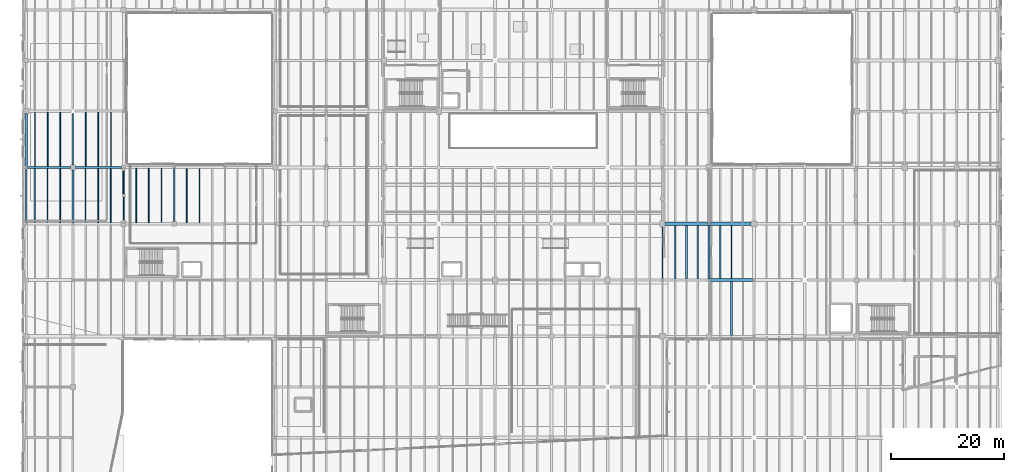
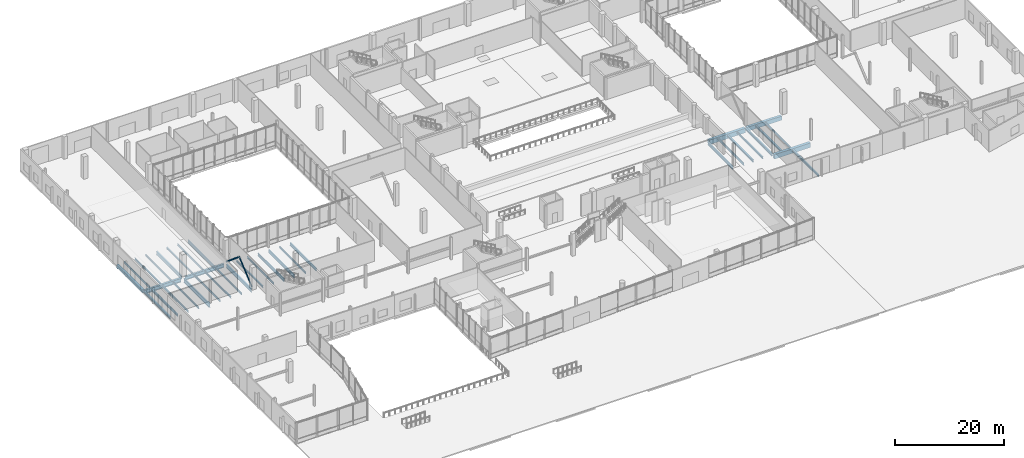
# One storey, part 34 of 88: 36 beams, 2 members.
"""IFC4 building model written with IfcOpenShell, lengths in metres."""

import ifcopenshell
import ifcopenshell.guid

model = None  # the IFC model being written
_history = None  # IfcOwnerHistory: only IFC2X3 demands one
_inside = {}  # id of a spatial element -> (the spatial element, [elements in it])
_under = {}  # id of a project, library or spatial element -> (it, [spatial elements below it])
_declared = {}  # id of a project -> (the project, [libraries it declares])
_typed = {}  # id of a type object -> (the type object, [elements of that type])
_made_of = {}  # id of a material, layer set ... -> (it, [elements and type objects made of it])


def new_model(schema):
    """Start an empty IFC model of exactly this schema.

    Asked for "IFC4X3", IfcOpenShell would pick the latest addendum, in which some entities
    have other attributes; the version numbers below select the first issue.
    IFC2X3 requires an IfcOwnerHistory on every rooted entity: one is made here for all.
    """
    global model, _history
    if schema == "IFC4X3":
        model = ifcopenshell.file(schema_version=(4, 3, 0, 0))
    else:
        model = ifcopenshell.file(schema=schema)
    _inside.clear()
    _under.clear()
    _declared.clear()
    _typed.clear()
    _made_of.clear()
    _history = None
    if model.schema == "IFC2X3":
        org = make("IfcOrganization", Name="unknown")
        user = make(
            "IfcPersonAndOrganization",
            ThePerson=make("IfcPerson", FamilyName="unknown"),
            TheOrganization=org,
        )
        app = make(
            "IfcApplication",
            ApplicationDeveloper=org,
            Version="unknown",
            ApplicationFullName="unknown",
            ApplicationIdentifier="unknown",
        )
        _history = make(
            "IfcOwnerHistory",
            OwningUser=user,
            OwningApplication=app,
            ChangeAction="ADDED",
            CreationDate=0,
        )
    return model


def make(cls, **values):
    """One entity of the class cls with the attributes given. An attribute that is None is left unset."""
    return model.create_entity(
        cls, **{name: value for name, value in values.items() if value is not None}
    )


def rooted(cls, **values):
    """An entity with a GlobalId (a new one), such as an element, a storey or a relation."""
    return make(cls, GlobalId=ifcopenshell.guid.new(), OwnerHistory=_history, **values)


def si_unit(unit_type, name, prefix=None):
    """IfcSIUnit, for example si_unit("LENGTHUNIT", "METRE", prefix="MILLI")."""
    return make("IfcSIUnit", UnitType=unit_type, Prefix=prefix, Name=name)


def assignment(units):
    """IfcUnitAssignment: the units of a project."""
    return None if units is None else make("IfcUnitAssignment", Units=units)


def point(xyz):
    """IfcCartesianPoint."""
    return None if xyz is None else make("IfcCartesianPoint", Coordinates=xyz)


def direction(xyz):
    """IfcDirection."""
    return None if xyz is None else make("IfcDirection", DirectionRatios=xyz)


def frame(location, z_axis=None, x_axis=None):
    """IfcAxis2Placement3D, a coordinate frame: its origin and axes. An axis left out is left unset."""
    return make(
        "IfcAxis2Placement3D",
        Location=point(location),
        Axis=direction(z_axis),
        RefDirection=direction(x_axis),
    )


def frame_2d(location, x_axis=None):
    """IfcAxis2Placement2D, a coordinate frame in the plane: its origin and x axis."""
    return make(
        "IfcAxis2Placement2D", Location=point(location), RefDirection=direction(x_axis)
    )


def origin():
    """The frame at (0, 0, 0) with its axes left unset."""
    return frame((0.0, 0.0, 0.0))


def origin_2d():
    """The frame at (0, 0) in the plane with its x axis left unset."""
    return frame_2d((0.0, 0.0))


def place(relative_to, where):
    """IfcLocalPlacement: puts the frame where relative to a parent placement (None: the world)."""
    return make(
        "IfcLocalPlacement", PlacementRelTo=relative_to, RelativePlacement=where
    )


def context(
    kind, dimensions, precision=None, world=None, true_north=None, identifier=None
):
    """IfcGeometricRepresentationContext, for example the 3D "Model" context."""
    return make(
        "IfcGeometricRepresentationContext",
        ContextIdentifier=identifier,
        ContextType=kind,
        CoordinateSpaceDimension=dimensions,
        Precision=precision,
        WorldCoordinateSystem=world,
        TrueNorth=true_north,
    )


def subcontext(parent, identifier, kind, view, scale=None):
    """IfcGeometricRepresentationSubContext, for example "Body" below "Model"."""
    return make(
        "IfcGeometricRepresentationSubContext",
        ContextIdentifier=identifier,
        ContextType=kind,
        ParentContext=parent,
        TargetScale=scale,
        TargetView=view,
    )


def project(units=None, contexts=None):
    """IfcProject with its units and contexts."""
    return rooted(
        "IfcProject",
        Name="project",
        RepresentationContexts=contexts,
        UnitsInContext=assignment(units),
    )


def spatial(cls, under=None, at=None, **own):
    """A site, building, storey or space (cls), placed at a placement, below another one or the project."""
    s = rooted(cls, ObjectPlacement=at, **own)
    if under is not None:
        _under.setdefault(under.id(), (under, []))[1].append(s)
    return s


def profile(cls, at=None, kind="AREA", **sizes):
    """A parametric profile (cls). Its sizes go by their IFC names, for example OverallWidth=200.0."""
    return make(cls, ProfileType=kind, Position=at, **sizes)


def rectangle(**sizes):
    """IfcRectangleProfileDef."""
    return profile("IfcRectangleProfileDef", **sizes)


def hollow_rectangle(**sizes):
    """IfcRectangleHollowProfileDef."""
    return profile("IfcRectangleHollowProfileDef", **sizes)


def hollow_circle(**sizes):
    """IfcCircleHollowProfileDef."""
    return profile("IfcCircleHollowProfileDef", **sizes)


def i_section(**sizes):
    """IfcIShapeProfileDef."""
    return profile("IfcIShapeProfileDef", **sizes)


def extrude(swept, where, along, depth):
    """IfcExtrudedAreaSolid: the profile swept, set in the frame where, extruded along a direction by depth."""
    return make(
        "IfcExtrudedAreaSolid",
        SweptArea=swept,
        Position=where,
        ExtrudedDirection=direction(along),
        Depth=depth,
    )


def shape(context_of_items, identifier, shape_type, items):
    """IfcShapeRepresentation: the items that make up one representation, for example the "Body"."""
    return make(
        "IfcShapeRepresentation",
        ContextOfItems=context_of_items,
        RepresentationIdentifier=identifier,
        RepresentationType=shape_type,
        Items=items,
    )


def material(Name=None, Category=None):
    """IfcMaterial."""
    return make("IfcMaterial", Name=Name, Category=Category)


def material_profile(
    of_material, cross_section, Name=None, Category=None, Priority=None
):
    """IfcMaterialProfile: a cross section and its material."""
    return make(
        "IfcMaterialProfile",
        Name=Name,
        Material=of_material,
        Profile=cross_section,
        Priority=Priority,
        Category=Category,
    )


def profile_set(profiles, Name=None, composite=None):
    """IfcMaterialProfileSet."""
    return make(
        "IfcMaterialProfileSet",
        Name=Name,
        MaterialProfiles=profiles,
        CompositeProfile=composite,
    )


def made_of(thing, what):
    """Note that an element or type object is made of a material, layer set ...; save() writes the relation."""
    if what is not None:
        _made_of.setdefault(what.id(), (what, []))[1].append(thing)
    return thing


def type_object(cls, material=None, **own):
    """A type object (cls), such as IfcWallType, which elements share."""
    return made_of(rooted(cls, **own), material)


def element(
    cls,
    number,
    at=None,
    inside=None,
    cuts=None,
    type_object=None,
    material=None,
    context=None,
    identifier="Body",
    shape_type=None,
    held_by="IfcProductDefinitionShape",
    body=None,
    shapes=None,
    **own,
):
    """One element of the class cls, such as IfcWall. Its Tag is "e" and its number.

    at: its placement. inside: the storey or other place that contains it. cuts: it is an
    opening in that element (IfcRelVoidsElement). A single representation is given by context,
    identifier, shape_type and body (its items); several are given by shapes. held_by: the class
    of the entity that holds the representations. save() writes the other relations.
    """
    e = rooted(cls, Tag="e%d" % number, ObjectPlacement=at, **own)
    if body is not None:
        shapes = [shape(context, identifier, shape_type, body)]
    if shapes is not None:
        e.Representation = make(held_by, Representations=shapes)
    if inside is not None:
        _inside.setdefault(inside.id(), (inside, []))[1].append(e)
    if cuts is not None:
        rooted(
            "IfcRelVoidsElement", RelatingBuildingElement=cuts, RelatedOpeningElement=e
        )
    if type_object is not None:
        _typed.setdefault(type_object.id(), (type_object, []))[1].append(e)
    return made_of(e, material)


def aggregate(whole, parts):
    """IfcRelAggregates: a whole, such as a stair, and the parts it consists of."""
    return rooted("IfcRelAggregates", RelatingObject=whole, RelatedObjects=parts)


def save(model, path):
    """Write the relations noted so far, then the file.

    IfcRelAggregates (storeys below a building ...), IfcRelContainedInSpatialStructure (elements
    in a storey), IfcRelDefinesByType, IfcRelAssociatesMaterial and IfcRelDeclares: one each for
    every whole, place, type object, material and project.
    """
    for whole, parts in _under.values():
        aggregate(whole, parts)
    for where, things in _inside.values():
        rooted(
            "IfcRelContainedInSpatialStructure",
            RelatedElements=things,
            RelatingStructure=where,
        )
    for kind, things in _typed.values():
        rooted("IfcRelDefinesByType", RelatedObjects=things, RelatingType=kind)
    for what, things in _made_of.values():
        rooted("IfcRelAssociatesMaterial", RelatedObjects=things, RelatingMaterial=what)
    for by, libraries in _declared.values():
        rooted("IfcRelDeclares", RelatingContext=by, RelatedDefinitions=libraries)
    model.write(path)


model = new_model("IFC4")

# Units and contexts
model_context = context("Model", 3, precision=1e-05, world=origin(), true_north=direction((0.0, 1.0)))
body_context = subcontext(model_context, "Body", "Model", "MODEL_VIEW")
ifc_project = project(units=[si_unit("LENGTHUNIT", "METRE"), si_unit("AREAUNIT", "SQUARE_METRE"), si_unit("VOLUMEUNIT", "CUBIC_METRE"), si_unit("PLANEANGLEUNIT", "RADIAN"), si_unit("MASSUNIT", "GRAM", prefix="KILO")], contexts=[model_context])

# Site, building, storey
site_placement = place(None, origin())
site = spatial("IfcSite", under=ifc_project, at=site_placement, CompositionType="ELEMENT")
building_placement = place(site_placement, origin())
building = spatial("IfcBuilding", under=site, at=building_placement, Name="Trimount Lyric Opera House", CompositionType="ELEMENT")
storey_placement = place(building_placement, origin())
storey = spatial("IfcBuildingStorey", under=building, at=storey_placement, Name="L00", CompositionType="ELEMENT", Elevation=0.0)

# Beams
ifc_material_1 = material(Name="Steel ASTM A992 Grade 50", Category="steel")
ifc_material_profile_1 = material_profile(ifc_material_1, i_section(OverallWidth=0.40087890625, OverallDepth=0.861083984375, WebThickness=0.019775390625, FlangeThickness=0.032470703125, FilletRadius=0.02001953125, at=origin_2d()), Name="W33X221")
ifc_profile_set_1 = profile_set([ifc_material_profile_1], Name="Steel ASTM A992 Grade 50")
beam_type_1 = type_object("IfcBeamType", Name="B-04", PredefinedType="BEAM", material=ifc_profile_set_1)
beam_1_placement = place(storey_placement, frame((0.906494140625, 74.0, -0.780517578125), z_axis=(1.0, 0.0, 0.0), x_axis=(0.0, 1.0, 0.0)))
element("IfcBeam", 1, at=beam_1_placement, inside=storey, type_object=beam_type_1, Name="L00 girder X-0141", PredefinedType="BEAM", context=body_context, shape_type="SweptSolid", body=[
    extrude(i_section(OverallWidth=0.40087890625, OverallDepth=0.861083984375, WebThickness=0.019775390625, FlangeThickness=0.032470703125, FilletRadius=0.02001953125, at=origin_2d()), origin(), (0.0, 0.0, 1.0), 7.6435546875),
])
ifc_material_2 = material(Name="Steel ASTM A992 Grade 50", Category="steel")
ifc_material_profile_2 = material_profile(ifc_material_2, i_section(OverallWidth=0.2919921875, OverallDepth=0.845947265625, WebThickness=0.015380859375, FlangeThickness=0.0244140625, FilletRadius=0.01806640625, at=origin_2d()), Name="W33X141")
ifc_profile_set_2 = profile_set([ifc_material_profile_2], Name="Steel ASTM A992 Grade 50")
beam_type_2 = type_object("IfcBeamType", Name="B-05", PredefinedType="BEAM", material=ifc_profile_set_2)
beam_2_placement = place(storey_placement, frame((9.0, 64.18408203125, -0.77294921875), z_axis=(0.0, 1.0, 0.0), x_axis=(-1.0, 0.0, 0.0)))
element("IfcBeam", 2, at=beam_2_placement, inside=storey, type_object=beam_type_2, Name="L00 girder Y-0257", PredefinedType="BEAM", context=body_context, shape_type="SweptSolid", body=[
    extrude(i_section(OverallWidth=0.2919921875, OverallDepth=0.845947265625, WebThickness=0.015380859375, FlangeThickness=0.0244140625, FilletRadius=0.01806640625, at=origin_2d()), origin(), (0.0, 0.0, 1.0), 9.365966796875),
])
ifc_material_3 = material(Name="Steel ASTM A992 Grade 50", Category="steel")
ifc_material_profile_3 = material_profile(ifc_material_3, i_section(OverallWidth=0.382080078125, OverallDepth=0.779052734375, WebThickness=0.01806640625, FlangeThickness=0.0302734375, FilletRadius=0.01904296875, at=origin_2d()), Name="W30X191")
ifc_profile_set_3 = profile_set([ifc_material_profile_3], Name="Steel ASTM A992 Grade 50")
beam_type_3 = type_object("IfcBeamType", Name="B-06", PredefinedType="BEAM", material=ifc_profile_set_3)
beam_3_placement = place(storey_placement, frame((9.449951171875, 74.0, -0.739501953125), z_axis=(1.0, 0.0, 0.0), x_axis=(0.0, 1.0, 0.0)))
element("IfcBeam", 3, at=beam_3_placement, inside=storey, type_object=beam_type_3, Name="L00 girder X-0142", PredefinedType="BEAM", context=body_context, shape_type="SweptSolid", body=[
    extrude(i_section(OverallWidth=0.382080078125, OverallDepth=0.779052734375, WebThickness=0.01806640625, FlangeThickness=0.0302734375, FilletRadius=0.01904296875, at=origin_2d()), origin(), (0.0, 0.0, 1.0), 8.175048828125),
])
ifc_material_4 = material(Name="Steel ASTM A992 Grade 50", Category="steel")
ifc_material_profile_4 = material_profile(ifc_material_4, i_section(OverallWidth=0.26708984375, OverallDepth=0.761962890625, WebThickness=0.014404296875, FlangeThickness=0.021484375, FilletRadius=0.01708984375, at=origin_2d()), Name="W30X116")
ifc_profile_set_4 = profile_set([ifc_material_profile_4], Name="Steel ASTM A992 Grade 50")
beam_type_4 = type_object("IfcBeamType", Name="B-07", PredefinedType="BEAM", material=ifc_profile_set_4)
for number, where, z_axis, x_axis, name in (
    (4, (9.0, 74.449951171875, -0.73095703125), (0.0, 1.0, 0.0), (-1.0, 0.0, 0.0), "L00 girder Y-0258"),
    (5, (18.0, 64.449951171875, -0.73095703125), (0.0, 1.0, 0.0), (-1.0, 0.0, 0.0), "L00 girder Y-0266"),
):
    element("IfcBeam", number, at=place(storey_placement, frame(where, z_axis=z_axis, x_axis=x_axis)), inside=storey, type_object=beam_type_4, Name=name, PredefinedType="BEAM", context=body_context, shape_type="SweptSolid", body=[
        extrude(i_section(OverallWidth=0.26708984375, OverallDepth=0.761962890625, WebThickness=0.014404296875, FlangeThickness=0.021484375, FilletRadius=0.01708984375, at=origin_2d()), origin(), (0.0, 0.0, 1.0), 9.175048828125),
    ])
ifc_material_5 = material(Name="Steel ASTM A992 Grade 50", Category="steel")
ifc_material_profile_5 = material_profile(ifc_material_5, i_section(OverallWidth=0.25390625, OverallDepth=0.68798828125, WebThickness=0.01318359375, FlangeThickness=0.02099609375, FilletRadius=0.01611328125, at=origin_2d()), Name="W27X102")
ifc_profile_set_5 = profile_set([ifc_material_profile_5], Name="Steel ASTM A992 Grade 50")
beam_type_5 = type_object("IfcBeamType", Name="B-09", PredefinedType="BEAM", material=ifc_profile_set_5)
beam_4_placement = place(storey_placement, frame((27.0, 64.375, -0.694091796875), z_axis=(0.0, 1.0, 0.0), x_axis=(-1.0, 0.0, 0.0)))
element("IfcBeam", 6, at=beam_4_placement, inside=storey, type_object=beam_type_5, Name="L00 girder Y-0274", PredefinedType="BEAM", context=body_context, shape_type="SweptSolid", body=[
    extrude(i_section(OverallWidth=0.25390625, OverallDepth=0.68798828125, WebThickness=0.01318359375, FlangeThickness=0.02099609375, FilletRadius=0.01611328125, at=origin_2d()), origin(), (0.0, 0.0, 1.0), 9.447021484375),
])
ifc_material_6 = material(Name="Steel ASTM A992 Grade 50", Category="steel")
ifc_material_profile_6 = material_profile(ifc_material_6, i_section(OverallWidth=0.22998046875, OverallDepth=0.616943359375, WebThickness=0.01318359375, FlangeThickness=0.022216796875, FilletRadius=0.013916015625, at=origin_2d()), Name="W24X94")
ifc_profile_set_6 = profile_set([ifc_material_profile_6], Name="Steel ASTM A992 Grade 50")
beam_type_6 = type_object("IfcBeamType", Name="B-11", PredefinedType="BEAM", material=ifc_profile_set_6)
beam_5_placement = place(storey_placement, frame((113.739990234375, 54.232421875, -0.70849609375), z_axis=(0.0, 1.0, 0.0), x_axis=(-1.0, 0.0, 0.0)))
element("IfcBeam", 7, at=beam_5_placement, inside=storey, type_object=beam_type_6, Name="L00 girder Y-0375", PredefinedType="BEAM", context=body_context, shape_type="SweptSolid", body=[
    extrude(i_section(OverallWidth=0.22998046875, OverallDepth=0.616943359375, WebThickness=0.01318359375, FlangeThickness=0.022216796875, FilletRadius=0.013916015625, at=origin_2d()), origin(), (0.0, 0.0, 1.0), 9.217529296875),
])
ifc_material_7 = material(Name="Steel ASTM A992 Grade 50", Category="steel")
ifc_material_profile_7 = material_profile(ifc_material_7, i_section(OverallWidth=0.31201171875, OverallDepth=0.5458984375, WebThickness=0.013916015625, FlangeThickness=0.022216796875, FilletRadius=0.014892578125, at=origin_2d()), Name="W21X111")
ifc_profile_set_7 = profile_set([ifc_material_profile_7], Name="Steel ASTM A992 Grade 50")
beam_type_7 = type_object("IfcBeamType", Name="B-12", PredefinedType="BEAM", material=ifc_profile_set_7)
beam_6_placement = place(storey_placement, frame((122.0, 54.18408203125, -0.653076171875), z_axis=(0.0, 1.0, 0.0), x_axis=(-1.0, 0.0, 0.0)))
element("IfcBeam", 8, at=beam_6_placement, inside=storey, type_object=beam_type_7, Name="L00 girder Y-0387", PredefinedType="BEAM", context=body_context, shape_type="SweptSolid", body=[
    extrude(i_section(OverallWidth=0.31201171875, OverallDepth=0.5458984375, WebThickness=0.013916015625, FlangeThickness=0.022216796875, FilletRadius=0.014892578125, at=origin_2d()), origin(), (0.0, 0.0, 1.0), 9.622802734375),
])
ifc_material_8 = material(Name="Concrete C40/50", Category="concrete")
ifc_material_profile_8 = material_profile(ifc_material_8, rectangle(XDim=0.60009765625, YDim=1.0, at=origin_2d()), Name="RC600X1000")
ifc_profile_set_8 = profile_set([ifc_material_profile_8], Name="Concrete C40/50")
beam_type_8 = type_object("IfcBeamType", Name="B-13", PredefinedType="BEAM", material=ifc_profile_set_8)
beam_7_placement = place(storey_placement, frame((122.1865234375, 54.0, -0.8798828125), z_axis=(1.0, 0.0, 0.0), x_axis=(0.0, 1.0, 0.0)))
element("IfcBeam", 9, at=beam_7_placement, inside=storey, type_object=beam_type_8, Name="L00 girder X-0116", PredefinedType="BEAM", context=body_context, shape_type="SweptSolid", body=[
    extrude(rectangle(XDim=0.60009765625, YDim=1.0, at=origin_2d()), origin(), (0.0, 0.0, 1.0), 7.614013671875),
])
beam_8_placement = place(storey_placement, frame((114.18994140625, 64.0, -0.89990234375), z_axis=(1.0, 0.0, 0.0), x_axis=(0.0, 1.0, 0.0)))
element("IfcBeam", 10, at=beam_8_placement, inside=storey, type_object=beam_type_8, Name="L00 girder X-0134", PredefinedType="BEAM", context=body_context, shape_type="SweptSolid", body=[
    extrude(rectangle(XDim=0.60009765625, YDim=1.0, at=origin_2d()), origin(), (0.0, 0.0, 1.0), 7.610595703125),
])
ifc_material_9 = material(Name="Concrete C40/50", Category="concrete")
ifc_material_profile_9 = material_profile(ifc_material_9, rectangle(XDim=0.550048828125, YDim=0.89990234375, at=origin_2d()), Name="RC550X900")
ifc_profile_set_9 = profile_set([ifc_material_profile_9], Name="Concrete C40/50")
beam_type_9 = type_object("IfcBeamType", Name="B-14", PredefinedType="BEAM", material=ifc_profile_set_9)
beam_9_placement = place(storey_placement, frame((122.199462890625, 64.0, -0.830078125), z_axis=(1.0, 0.0, 0.0), x_axis=(0.0, 1.0, 0.0)))
element("IfcBeam", 11, at=beam_9_placement, inside=storey, type_object=beam_type_9, Name="L00 girder X-0135", PredefinedType="BEAM", context=body_context, shape_type="SweptSolid", body=[
    extrude(rectangle(XDim=0.550048828125, YDim=0.89990234375, at=origin_2d()), origin(), (0.0, 0.0, 1.0), 7.300537109375),
])

# Members
ifc_material_10 = material(Name="Steel ASTM A500 Grade C", Category="steel")
ifc_material_profile_10 = material_profile(ifc_material_10, hollow_rectangle(XDim=0.203125, YDim=0.203125, WallThickness=0.0087890625, InnerFilletRadius=0.00927734375, OuterFilletRadius=0.01806640625, at=origin_2d()), Name="HSS203.2X203.2X9.5")
ifc_profile_set_10 = profile_set([ifc_material_profile_10], Name="Steel ASTM A500 Grade C")
member_type_1 = type_object("IfcMemberType", Name="BR-04", PredefinedType="BRACE", material=ifc_profile_set_10)
member_1_placement = place(storey_placement, frame((18.0, 64.35009765625, 0.14990234375), z_axis=(0.0, 0.766173014074, 0.642634353661), x_axis=(-1.0, 0.0, 0.0)))
element("IfcMember", 12, at=member_1_placement, inside=storey, type_object=member_type_1, Name="L00 lateral chevron brace BF-1.1", PredefinedType="BRACE", context=body_context, shape_type="SweptSolid", body=[
    extrude(hollow_rectangle(XDim=0.203125, YDim=0.203125, WallThickness=0.0087890625, InnerFilletRadius=0.00927734375, OuterFilletRadius=0.01806640625, at=origin_2d()), origin(), (0.0, 0.0, 1.0), 6.069091796875),
])
ifc_material_11 = material(Name="Steel ASTM A500 Grade C", Category="steel")
ifc_material_profile_11 = material_profile(ifc_material_11, hollow_circle(Radius=0.161865234375, WallThickness=0.01171875, at=origin_2d()), Name="HSS323.9X12.7")
ifc_profile_set_11 = profile_set([ifc_material_profile_11], Name="Steel ASTM A500 Grade C")
member_type_2 = type_object("IfcMemberType", Name="BR-05", PredefinedType="BRACE", material=ifc_profile_set_11)
member_2_placement = place(storey_placement, frame((18.0, 73.64990234375, 0.14990234375), z_axis=(0.0, -0.766173014074, 0.642634353661), x_axis=(1.0, 0.0, 0.0)))
element("IfcMember", 13, at=member_2_placement, inside=storey, type_object=member_type_2, Name="L00 lateral chevron brace BF-1.2", PredefinedType="BRACE", context=body_context, shape_type="SweptSolid", body=[
    extrude(hollow_circle(Radius=0.161865234375, WallThickness=0.01171875, at=origin_2d()), origin(), (0.0, 0.0, 1.0), 6.069091796875),
])

# Beams
ifc_material_12 = material(Name="Steel ASTM A992 Grade 50", Category="steel")
ifc_material_profile_12 = material_profile(ifc_material_12, i_section(OverallWidth=0.22802734375, OverallDepth=0.60205078125, WebThickness=0.010498046875, FlangeThickness=0.014892578125, FilletRadius=0.012939453125, at=origin_2d()), Name="W24X68")
ifc_profile_set_12 = profile_set([ifc_material_profile_12], Name="Steel ASTM A992 Grade 50")
beam_type_10 = type_object("IfcBeamType", Name="J-01", PredefinedType="BEAM", material=ifc_profile_set_12)
beam_10_placement = place(storey_placement, frame((15.75, 74.18701171875, -0.65087890625), z_axis=(0.0, 1.0, 0.0), x_axis=(-1.0, 0.0, 0.0)))
element("IfcBeam", 14, at=beam_10_placement, inside=storey, type_object=beam_type_10, Name="L00 composite floor joist 0054", PredefinedType="BEAM", context=body_context, shape_type="SweptSolid", body=[
    extrude(i_section(OverallWidth=0.22802734375, OverallDepth=0.60205078125, WebThickness=0.010498046875, FlangeThickness=0.014892578125, FilletRadius=0.012939453125, at=origin_2d()), origin(), (0.0, 0.0, 1.0), 9.638916015625),
])
beam_11_placement = place(storey_placement, frame((24.75, 64.18701171875, -0.65087890625), z_axis=(0.0, 1.0, 0.0), x_axis=(-1.0, 0.0, 0.0)))
element("IfcBeam", 15, at=beam_11_placement, inside=storey, type_object=beam_type_10, Name="L00 composite floor joist 0075", PredefinedType="BEAM", context=body_context, shape_type="SweptSolid", body=[
    extrude(i_section(OverallWidth=0.22802734375, OverallDepth=0.60205078125, WebThickness=0.010498046875, FlangeThickness=0.014892578125, FilletRadius=0.012939453125, at=origin_2d()), origin(), (0.0, 0.0, 1.0), 9.676025390625),
])
beam_12_placement = place(storey_placement, frame((31.5, 64.174072265625, -0.65087890625), z_axis=(0.0, 1.0, 0.0), x_axis=(-1.0, 0.0, 0.0)))
element("IfcBeam", 16, at=beam_12_placement, inside=storey, type_object=beam_type_10, Name="L00 composite floor joist 0090", PredefinedType="BEAM", context=body_context, shape_type="SweptSolid", body=[
    extrude(i_section(OverallWidth=0.22802734375, OverallDepth=0.60205078125, WebThickness=0.010498046875, FlangeThickness=0.014892578125, FilletRadius=0.012939453125, at=origin_2d()), origin(), (0.0, 0.0, 1.0), 9.60498046875),
])
ifc_material_13 = material(Name="Steel ASTM A992 Grade 50", Category="steel")
ifc_material_profile_13 = material_profile(ifc_material_13, i_section(OverallWidth=0.2099609375, OverallDepth=0.532958984375, WebThickness=0.01025390625, FlangeThickness=0.015625, FilletRadius=0.012939453125, at=origin_2d()), Name="W21X62")
ifc_profile_set_13 = profile_set([ifc_material_profile_13], Name="Steel ASTM A992 Grade 50")
beam_type_11 = type_object("IfcBeamType", Name="J-02", PredefinedType="BEAM", material=ifc_profile_set_13)
beam_13_placement = place(storey_placement, frame((116.0, 54.159912109375, -0.646484375), z_axis=(0.0, 1.0, 0.0), x_axis=(-1.0, 0.0, 0.0)))
element("IfcBeam", 17, at=beam_13_placement, inside=storey, type_object=beam_type_11, Name="L00 composite floor joist 0354", PredefinedType="BEAM", context=body_context, shape_type="SweptSolid", body=[
    extrude(i_section(OverallWidth=0.2099609375, OverallDepth=0.532958984375, WebThickness=0.01025390625, FlangeThickness=0.015625, FilletRadius=0.012939453125, at=origin_2d()), origin(), (0.0, 0.0, 1.0), 9.544189453125),
])
ifc_material_14 = material(Name="Steel ASTM A992 Grade 50", Category="steel")
ifc_material_profile_14 = material_profile(ifc_material_14, i_section(OverallWidth=0.281982421875, OverallDepth=0.467041015625, WebThickness=0.01220703125, FlangeThickness=0.01953125, FilletRadius=0.012939453125, at=origin_2d()), Name="W18X86")
ifc_profile_set_14 = profile_set([ifc_material_profile_14], Name="Steel ASTM A992 Grade 50")
beam_type_12 = type_object("IfcBeamType", Name="J-03", PredefinedType="BEAM", material=ifc_profile_set_14)
beam_14_placement = place(storey_placement, frame((2.25, 64.20556640625, -0.58349609375), z_axis=(0.0, 1.0, 0.0), x_axis=(-1.0, 0.0, 0.0)))
element("IfcBeam", 18, at=beam_14_placement, inside=storey, type_object=beam_type_12, Name="L00 composite floor joist 0022", PredefinedType="BEAM", context=body_context, shape_type="SweptSolid", body=[
    extrude(i_section(OverallWidth=0.281982421875, OverallDepth=0.467041015625, WebThickness=0.01220703125, FlangeThickness=0.01953125, FilletRadius=0.012939453125, at=origin_2d()), origin(), (0.0, 0.0, 1.0), 9.597900390625),
])
for number, where, z_axis, x_axis, name in (
    (19, (118.0, 54.159912109375, -0.613525390625), (0.0, 1.0, 0.0), (-1.0, 0.0, 0.0), "L00 composite floor joist 0355"),
    (20, (126.0, 44.159912109375, -0.613525390625), (0.0, 1.0, 0.0), (-1.0, 0.0, 0.0), "L00 composite floor joist 0385"),
):
    element("IfcBeam", number, at=place(storey_placement, frame(where, z_axis=z_axis, x_axis=x_axis)), inside=storey, type_object=beam_type_12, Name=name, PredefinedType="BEAM", context=body_context, shape_type="SweptSolid", body=[
        extrude(i_section(OverallWidth=0.281982421875, OverallDepth=0.467041015625, WebThickness=0.01220703125, FlangeThickness=0.01953125, FilletRadius=0.012939453125, at=origin_2d()), origin(), (0.0, 0.0, 1.0), 9.544189453125),
    ])
beam_15_placement = place(storey_placement, frame((124.0, 54.2958984375, -0.613525390625), z_axis=(0.0, 1.0, 0.0), x_axis=(-1.0, 0.0, 0.0)))
element("IfcBeam", 21, at=beam_15_placement, inside=storey, type_object=beam_type_12, Name="L00 composite floor joist 0387", PredefinedType="BEAM", context=body_context, shape_type="SweptSolid", body=[
    extrude(i_section(OverallWidth=0.281982421875, OverallDepth=0.467041015625, WebThickness=0.01220703125, FlangeThickness=0.01953125, FilletRadius=0.012939453125, at=origin_2d()), origin(), (0.0, 0.0, 1.0), 9.43310546875),
])
ifc_material_15 = material(Name="Steel ASTM A992 Grade 50", Category="steel")
ifc_material_profile_15 = material_profile(ifc_material_15, i_section(OverallWidth=0.19091796875, OverallDepth=0.45703125, WebThickness=0.009033203125, FlangeThickness=0.014404296875, FilletRadius=0.010986328125, at=origin_2d()), Name="W18X50")
ifc_profile_set_15 = profile_set([ifc_material_profile_15], Name="Steel ASTM A992 Grade 50")
beam_type_13 = type_object("IfcBeamType", Name="J-04", PredefinedType="BEAM", material=ifc_profile_set_15)
beam_16_placement = place(storey_placement, frame((4.5, 64.20556640625, -0.57861328125), z_axis=(0.0, 1.0, 0.0), x_axis=(-1.0, 0.0, 0.0)))
element("IfcBeam", 22, at=beam_16_placement, inside=storey, type_object=beam_type_13, Name="L00 composite floor joist 0023", PredefinedType="BEAM", context=body_context, shape_type="SweptSolid", body=[
    extrude(i_section(OverallWidth=0.19091796875, OverallDepth=0.45703125, WebThickness=0.009033203125, FlangeThickness=0.014404296875, FilletRadius=0.010986328125, at=origin_2d()), origin(), (0.0, 0.0, 1.0), 9.597900390625),
])
for number, where, z_axis, x_axis, name in (
    (23, (2.25, 74.196533203125, -0.57861328125), (0.0, 1.0, 0.0), (-1.0, 0.0, 0.0), "L00 composite floor joist 0025"),
    (24, (11.25, 64.196533203125, -0.57861328125), (0.0, 1.0, 0.0), (-1.0, 0.0, 0.0), "L00 composite floor joist 0049"),
):
    element("IfcBeam", number, at=place(storey_placement, frame(where, z_axis=z_axis, x_axis=x_axis)), inside=storey, type_object=beam_type_13, Name=name, PredefinedType="BEAM", context=body_context, shape_type="SweptSolid", body=[
        extrude(i_section(OverallWidth=0.19091796875, OverallDepth=0.45703125, WebThickness=0.009033203125, FlangeThickness=0.014404296875, FilletRadius=0.010986328125, at=origin_2d()), origin(), (0.0, 0.0, 1.0), 9.616455078125),
    ])
beam_17_placement = place(storey_placement, frame((120.0, 54.159912109375, -0.6083984375), z_axis=(0.0, 1.0, 0.0), x_axis=(-1.0, 0.0, 0.0)))
element("IfcBeam", 25, at=beam_17_placement, inside=storey, type_object=beam_type_13, Name="L00 composite floor joist 0356", PredefinedType="BEAM", context=body_context, shape_type="SweptSolid", body=[
    extrude(i_section(OverallWidth=0.19091796875, OverallDepth=0.45703125, WebThickness=0.009033203125, FlangeThickness=0.014404296875, FilletRadius=0.010986328125, at=origin_2d()), origin(), (0.0, 0.0, 1.0), 9.544189453125),
])
beam_18_placement = place(storey_placement, frame((126.0, 54.2958984375, -0.6083984375), z_axis=(0.0, 1.0, 0.0), x_axis=(-1.0, 0.0, 0.0)))
element("IfcBeam", 26, at=beam_18_placement, inside=storey, type_object=beam_type_13, Name="L00 composite floor joist 0388", PredefinedType="BEAM", context=body_context, shape_type="SweptSolid", body=[
    extrude(i_section(OverallWidth=0.19091796875, OverallDepth=0.45703125, WebThickness=0.009033203125, FlangeThickness=0.014404296875, FilletRadius=0.010986328125, at=origin_2d()), origin(), (0.0, 0.0, 1.0), 9.43310546875),
])
ifc_material_16 = material(Name="Steel ASTM A992 Grade 50", Category="steel")
ifc_material_profile_16 = material_profile(ifc_material_16, i_section(OverallWidth=0.180908203125, OverallDepth=0.4169921875, WebThickness=0.010986328125, FlangeThickness=0.018310546875, FilletRadius=0.010986328125, at=origin_2d()), Name="W16X57")
ifc_profile_set_16 = profile_set([ifc_material_profile_16], Name="Steel ASTM A992 Grade 50")
beam_type_14 = type_object("IfcBeamType", Name="J-05", PredefinedType="BEAM", material=ifc_profile_set_16)
beam_19_placement = place(storey_placement, frame((6.75, 64.20556640625, -0.55859375), z_axis=(0.0, 1.0, 0.0), x_axis=(-1.0, 0.0, 0.0)))
element("IfcBeam", 27, at=beam_19_placement, inside=storey, type_object=beam_type_14, Name="L00 composite floor joist 0024", PredefinedType="BEAM", context=body_context, shape_type="SweptSolid", body=[
    extrude(i_section(OverallWidth=0.180908203125, OverallDepth=0.4169921875, WebThickness=0.010986328125, FlangeThickness=0.018310546875, FilletRadius=0.010986328125, at=origin_2d()), origin(), (0.0, 0.0, 1.0), 9.597900390625),
])
for number, where, z_axis, x_axis, name in (
    (28, (4.5, 74.196533203125, -0.55859375), (0.0, 1.0, 0.0), (-1.0, 0.0, 0.0), "L00 composite floor joist 0026"),
    (29, (13.5, 64.196533203125, -0.55859375), (0.0, 1.0, 0.0), (-1.0, 0.0, 0.0), "L00 composite floor joist 0050"),
):
    element("IfcBeam", number, at=place(storey_placement, frame(where, z_axis=z_axis, x_axis=x_axis)), inside=storey, type_object=beam_type_14, Name=name, PredefinedType="BEAM", context=body_context, shape_type="SweptSolid", body=[
        extrude(i_section(OverallWidth=0.180908203125, OverallDepth=0.4169921875, WebThickness=0.010986328125, FlangeThickness=0.018310546875, FilletRadius=0.010986328125, at=origin_2d()), origin(), (0.0, 0.0, 1.0), 9.616455078125),
    ])
beam_20_placement = place(storey_placement, frame((11.25, 74.18701171875, -0.55859375), z_axis=(0.0, 1.0, 0.0), x_axis=(-1.0, 0.0, 0.0)))
element("IfcBeam", 30, at=beam_20_placement, inside=storey, type_object=beam_type_14, Name="L00 composite floor joist 0052", PredefinedType="BEAM", context=body_context, shape_type="SweptSolid", body=[
    extrude(i_section(OverallWidth=0.180908203125, OverallDepth=0.4169921875, WebThickness=0.010986328125, FlangeThickness=0.018310546875, FilletRadius=0.010986328125, at=origin_2d()), origin(), (0.0, 0.0, 1.0), 9.638916015625),
])
beam_21_placement = place(storey_placement, frame((20.25, 64.18701171875, -0.55859375), z_axis=(0.0, 1.0, 0.0), x_axis=(-1.0, 0.0, 0.0)))
element("IfcBeam", 31, at=beam_21_placement, inside=storey, type_object=beam_type_14, Name="L00 composite floor joist 0073", PredefinedType="BEAM", context=body_context, shape_type="SweptSolid", body=[
    extrude(i_section(OverallWidth=0.180908203125, OverallDepth=0.4169921875, WebThickness=0.010986328125, FlangeThickness=0.018310546875, FilletRadius=0.010986328125, at=origin_2d()), origin(), (0.0, 0.0, 1.0), 9.676025390625),
])
ifc_material_17 = material(Name="Steel ASTM A992 Grade 50", Category="steel")
ifc_material_profile_17 = material_profile(ifc_material_17, i_section(OverallWidth=0.177978515625, OverallDepth=0.404052734375, WebThickness=0.007568359375, FlangeThickness=0.010986328125, FilletRadius=0.010009765625, at=origin_2d()), Name="W16X36")
ifc_profile_set_17 = profile_set([ifc_material_profile_17], Name="Steel ASTM A992 Grade 50")
beam_type_15 = type_object("IfcBeamType", Name="J-06", PredefinedType="BEAM", material=ifc_profile_set_17)
for number, where, z_axis, x_axis, name in (
    (32, (6.75, 74.196533203125, -0.552001953125), (0.0, 1.0, 0.0), (-1.0, 0.0, 0.0), "L00 composite floor joist 0027"),
    (33, (15.75, 64.196533203125, -0.552001953125), (0.0, 1.0, 0.0), (-1.0, 0.0, 0.0), "L00 composite floor joist 0051"),
):
    element("IfcBeam", number, at=place(storey_placement, frame(where, z_axis=z_axis, x_axis=x_axis)), inside=storey, type_object=beam_type_15, Name=name, PredefinedType="BEAM", context=body_context, shape_type="SweptSolid", body=[
        extrude(i_section(OverallWidth=0.177978515625, OverallDepth=0.404052734375, WebThickness=0.007568359375, FlangeThickness=0.010986328125, FilletRadius=0.010009765625, at=origin_2d()), origin(), (0.0, 0.0, 1.0), 9.616455078125),
    ])
beam_22_placement = place(storey_placement, frame((13.5, 74.18701171875, -0.552001953125), z_axis=(0.0, 1.0, 0.0), x_axis=(-1.0, 0.0, 0.0)))
element("IfcBeam", 34, at=beam_22_placement, inside=storey, type_object=beam_type_15, Name="L00 composite floor joist 0053", PredefinedType="BEAM", context=body_context, shape_type="SweptSolid", body=[
    extrude(i_section(OverallWidth=0.177978515625, OverallDepth=0.404052734375, WebThickness=0.007568359375, FlangeThickness=0.010986328125, FilletRadius=0.010009765625, at=origin_2d()), origin(), (0.0, 0.0, 1.0), 9.638916015625),
])
beam_23_placement = place(storey_placement, frame((22.5, 64.18701171875, -0.552001953125), z_axis=(0.0, 1.0, 0.0), x_axis=(-1.0, 0.0, 0.0)))
element("IfcBeam", 35, at=beam_23_placement, inside=storey, type_object=beam_type_15, Name="L00 composite floor joist 0074", PredefinedType="BEAM", context=body_context, shape_type="SweptSolid", body=[
    extrude(i_section(OverallWidth=0.177978515625, OverallDepth=0.404052734375, WebThickness=0.007568359375, FlangeThickness=0.010986328125, FilletRadius=0.010009765625, at=origin_2d()), origin(), (0.0, 0.0, 1.0), 9.676025390625),
])
beam_24_placement = place(storey_placement, frame((29.25, 64.174072265625, -0.552001953125), z_axis=(0.0, 1.0, 0.0), x_axis=(-1.0, 0.0, 0.0)))
element("IfcBeam", 36, at=beam_24_placement, inside=storey, type_object=beam_type_15, Name="L00 composite floor joist 0089", PredefinedType="BEAM", context=body_context, shape_type="SweptSolid", body=[
    extrude(i_section(OverallWidth=0.177978515625, OverallDepth=0.404052734375, WebThickness=0.007568359375, FlangeThickness=0.010986328125, FilletRadius=0.010009765625, at=origin_2d()), origin(), (0.0, 0.0, 1.0), 9.60498046875),
])
ifc_material_18 = material(Name="Steel ASTM A992 Grade 50", Category="steel")
ifc_material_profile_18 = material_profile(ifc_material_18, i_section(OverallWidth=0.281982421875, OverallDepth=0.467041015625, WebThickness=0.01220703125, FlangeThickness=0.01953125, FilletRadius=0.012939453125, at=origin_2d()), Name="W18X86")
ifc_profile_set_18 = profile_set([ifc_material_profile_18], Name="Steel ASTM A992 Grade 50")
beam_type_16 = type_object("IfcBeamType", Name="SP-01", PredefinedType="SPANDREL", material=ifc_profile_set_18)
beam_25_placement = place(storey_placement, frame((0.719970703125, 64.177978515625, -0.58349609375), z_axis=(0.0, 1.0, 0.0), x_axis=(-1.0, 0.0, 0.0)))
element("IfcBeam", 37, at=beam_25_placement, inside=storey, type_object=beam_type_16, Name="L00 girder Y-0244", PredefinedType="SPANDREL", context=body_context, shape_type="SweptSolid", body=[
    extrude(i_section(OverallWidth=0.281982421875, OverallDepth=0.467041015625, WebThickness=0.01220703125, FlangeThickness=0.01953125, FilletRadius=0.012939453125, at=origin_2d()), origin(), (0.0, 0.0, 1.0), 9.637939453125),
])
ifc_material_19 = material(Name="Concrete C40/50", Category="concrete")
ifc_material_profile_19 = material_profile(ifc_material_19, rectangle(XDim=0.449951171875, YDim=0.699951171875, at=origin_2d()), Name="RC450X700")
ifc_profile_set_19 = profile_set([ifc_material_profile_19], Name="Concrete C40/50")
beam_type_17 = type_object("IfcBeamType", Name="SP-02", PredefinedType="SPANDREL", material=ifc_profile_set_19)
beam_26_placement = place(storey_placement, frame((0.719970703125, 74.18408203125, -0.699951171875), z_axis=(0.0, 1.0, 0.0), x_axis=(-1.0, 0.0, 0.0)))
element("IfcBeam", 38, at=beam_26_placement, inside=storey, type_object=beam_type_17, Name="L00 girder Y-0245", PredefinedType="SPANDREL", context=body_context, shape_type="SweptSolid", body=[
    extrude(rectangle(XDim=0.449951171875, YDim=0.699951171875, at=origin_2d()), origin(), (0.0, 0.0, 1.0), 9.365966796875),
])

save(model, "model.ifc")
